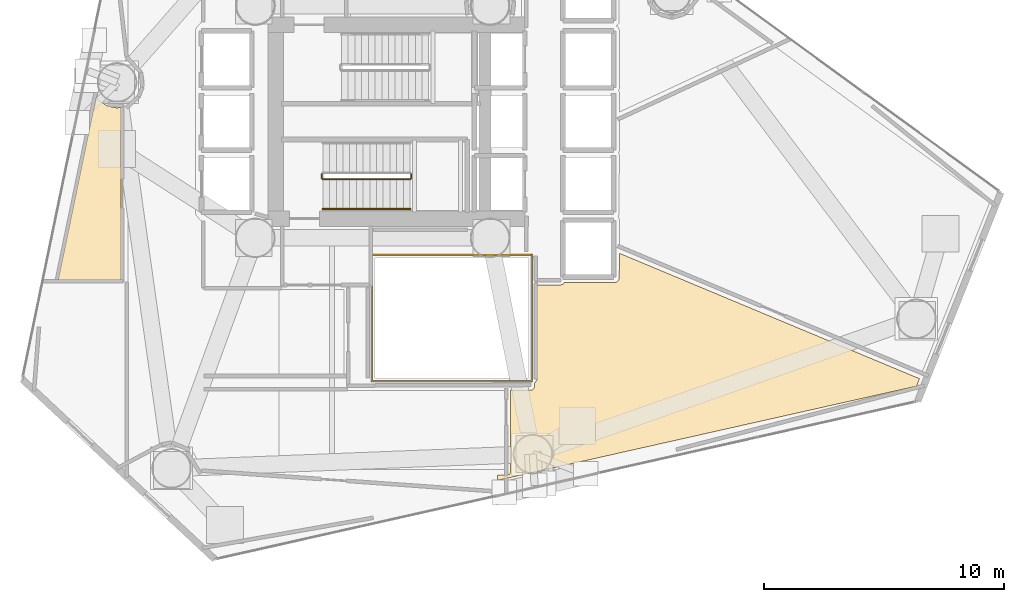
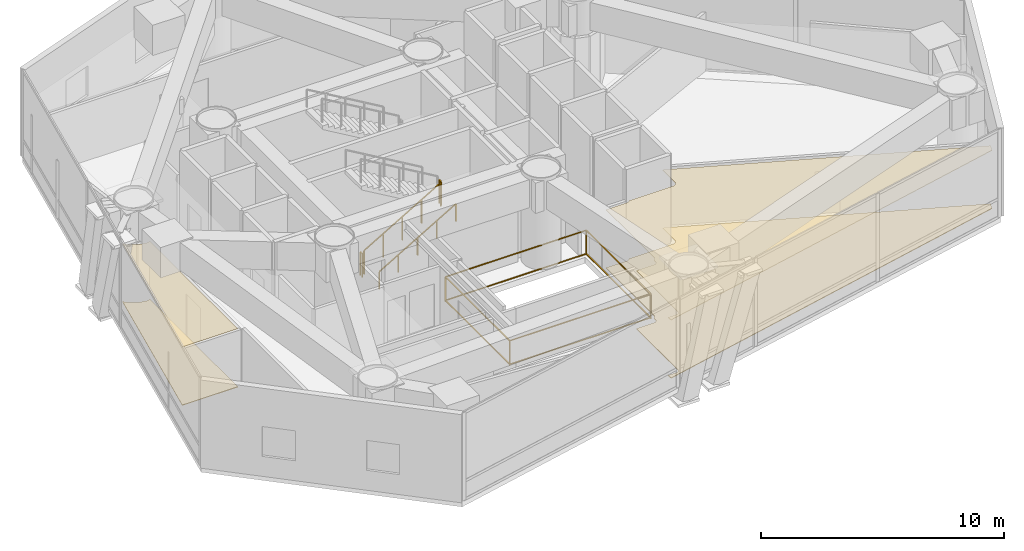
# One storey, part 20 of 22: 5 railings, 4 coverings.
"""IFC4 building model written with IfcOpenShell, lengths in metres."""

from ifc_helpers import new_model, si_unit, direction, frame, origin, origin_2d, place, context, subcontext, project, spatial, polyline, rectangle, outline, extrude, material, layer, layer_set, type_object, element, save


model = new_model("IFC4")

# Units and contexts
model_context = context("Model", 3, precision=1e-05, world=origin(), true_north=direction((0.0, 1.0)))
body_context = subcontext(model_context, "Body", "Model", "MODEL_VIEW")
ifc_project = project(units=[si_unit("LENGTHUNIT", "METRE"), si_unit("AREAUNIT", "SQUARE_METRE"), si_unit("VOLUMEUNIT", "CUBIC_METRE"), si_unit("PLANEANGLEUNIT", "RADIAN"), si_unit("MASSUNIT", "GRAM", prefix="KILO")], contexts=[model_context])

# Site, building, storey
site_placement = place(None, origin())
site = spatial("IfcSite", under=ifc_project, at=site_placement, CompositionType="ELEMENT")
building_placement = place(site_placement, origin())
building = spatial("IfcBuilding", under=site, at=building_placement, Name="Qianvela Tower", CompositionType="ELEMENT")
storey_placement = place(building_placement, frame((0.0, 0.0, 93.199951171875)))
storey = spatial("IfcBuildingStorey", under=building, at=storey_placement, Name="L23", CompositionType="ELEMENT", Elevation=93.199951171875)

# Coverings
ifc_material_1 = material(Name="Perforated Mineral Acoustic Ceiling Tile")
ifc_layer_1 = layer(ifc_material_1, 0.02490234375)
ifc_layer_set_1 = layer_set([ifc_layer_1], Name="Perforated Mineral Acoustic Ceiling Tile")
covering_type_1 = type_object("IfcCoveringType", Name="COV-CEIL-ACOUSTIC-25", PredefinedType="CEILING", material=ifc_layer_set_1)
covering_1_placement = place(storey_placement, frame((0.0, 0.0, 2.9150390625)))
element("IfcCovering", 1, at=covering_1_placement, inside=storey, type_object=covering_type_1, Name="L23 Acoustic Ceiling L23 Fire Refuge Area North", PredefinedType="CEILING", context=body_context, shape_type="SweptSolid", body=[
    extrude(outline(polyline([(21.948974609375, 29.7412109375), (22.07080078125, 29.5927734375), (22.075927734375, 29.5869140625), (22.081787109375, 29.581787109375), (22.088134765625, 29.576904296875), (22.40771484375, 29.363525390625), (22.414306640625, 29.359375), (22.42138671875, 29.356201171875), (22.4287109375, 29.353515625), (22.436279296875, 29.3515625), (22.8134765625, 29.276611328125), (22.822509765625, 29.275390625), (22.83154296875, 29.27490234375), (22.840576171875, 29.27587890625), (23.0, 29.29931640625), (23.0, 22.080078125), (20.364990234375, 22.080078125), (21.948974609375, 29.7412109375)])), origin(), (0.0, 0.0, 1.0), 0.02490234375),
])
covering_2_placement = place(storey_placement, frame((0.0, 0.0, 2.9150390625)))
element("IfcCovering", 2, at=covering_2_placement, inside=storey, type_object=covering_type_1, Name="L23 Acoustic Ceiling L23 Fire Pump Room", PredefinedType="CEILING", context=body_context, shape_type="SweptSolid", body=[
    extrude(outline(polyline([(39.25390625, 14.0693359375), (39.256591796875, 14.076904296875), (39.258544921875, 14.08447265625), (39.259521484375, 14.09228515625), (39.260009765625, 14.10009765625), (39.25732421875, 17.490234375), (40.12353515625, 17.493408203125), (40.1318359375, 17.493896484375), (40.139892578125, 17.4951171875), (40.14794921875, 17.497314453125), (40.15576171875, 17.50048828125), (40.1630859375, 17.504150390625), (40.170166015625, 17.5087890625), (40.176513671875, 17.513916015625), (40.1826171875, 17.519775390625), (40.23779296875, 17.580810546875), (40.242919921875, 17.5869140625), (40.247314453125, 17.593505859375), (40.2509765625, 17.6005859375), (40.25390625, 17.60791015625), (40.256103515625, 17.615478515625), (40.2578125, 17.623291015625), (40.25830078125, 17.63134765625), (40.25830078125, 17.63916015625), (40.251220703125, 17.757080078125), (40.34228515625, 17.903076171875), (40.34619140625, 17.909423828125), (40.34912109375, 17.916259765625), (40.3515625, 17.92333984375), (40.353271484375, 17.930419921875), (40.354248046875, 17.937744140625), (40.3544921875, 17.9453125), (40.35986328125, 21.889892578125), (41.367919921875, 21.890380859375), (41.375732421875, 21.890869140625), (41.383544921875, 21.891845703125), (41.39111328125, 21.893798828125), (41.3984375, 21.896484375), (41.405517578125, 21.89990234375), (41.45947265625, 21.9287109375), (41.46630859375, 21.932861328125), (41.472900390625, 21.9375), (41.478759765625, 21.943115234375), (41.48388671875, 21.948974609375), (41.48876953125, 21.955322265625), (41.492919921875, 21.96240234375), (41.49609375, 21.969482421875), (41.498779296875, 21.97705078125), (41.49951171875, 21.97998046875), (43.59375, 21.980712890625), (43.6015625, 21.981201171875), (43.609375, 21.982177734375), (43.616943359375, 21.984130859375), (43.624267578125, 21.98681640625), (43.699462890625, 22.017822265625), (43.70654296875, 22.021240234375), (43.71337890625, 22.025390625), (43.719482421875, 22.02978515625), (43.725341796875, 22.03515625), (43.730712890625, 22.041015625), (43.7353515625, 22.04736328125), (43.780517578125, 22.114990234375), (43.784423828125, 22.12158203125), (43.787841796875, 22.128662109375), (43.79052734375, 22.135986328125), (43.79248046875, 22.1435546875), (43.793701171875, 22.1513671875), (43.7939453125, 22.1591796875), (43.796630859375, 23.20654296875), (56.33251953125, 17.968505859375), (56.208251953125, 17.656494140625), (38.724609375, 13.72509765625), (38.705810546875, 13.93994140625), (39.10009765625, 13.93994140625), (39.10791015625, 13.9404296875), (39.115478515625, 13.94140625), (39.123291015625, 13.943359375), (39.130615234375, 13.946044921875), (39.187255859375, 13.969482421875), (39.1943359375, 13.972900390625), (39.200927734375, 13.976806640625), (39.207275390625, 13.981689453125), (39.213134765625, 13.98681640625), (39.218505859375, 13.99267578125), (39.22314453125, 13.9990234375), (39.22705078125, 14.005615234375), (39.23046875, 14.0126953125), (39.25390625, 14.0693359375)])), origin(), (0.0, 0.0, 1.0), 0.02490234375),
])
ifc_material_2 = material(Name="Honed Stone Terrazzo Flooring", Category="masonry")
ifc_layer_2 = layer(ifc_material_2, 0.030029296875)
ifc_layer_set_2 = layer_set([ifc_layer_2], Name="Honed Stone Terrazzo Flooring")
covering_type_2 = type_object("IfcCoveringType", Name="COV-FLOOR-TERRAZZO-30", PredefinedType="FLOORING", material=ifc_layer_set_2)
covering_3_placement = place(storey_placement, origin())
element("IfcCovering", 3, at=covering_3_placement, inside=storey, type_object=covering_type_2, Name="L23 Finish Flooring L23 Fire Refuge Area North", PredefinedType="FLOORING", context=body_context, shape_type="SweptSolid", body=[
    extrude(outline(polyline([(21.948974609375, 29.7412109375), (22.07080078125, 29.5927734375), (22.075927734375, 29.5869140625), (22.081787109375, 29.581787109375), (22.088134765625, 29.576904296875), (22.40771484375, 29.363525390625), (22.414306640625, 29.359375), (22.42138671875, 29.356201171875), (22.4287109375, 29.353515625), (22.436279296875, 29.3515625), (22.8134765625, 29.276611328125), (22.822509765625, 29.275390625), (22.83154296875, 29.27490234375), (22.840576171875, 29.27587890625), (23.0, 29.29931640625), (23.0, 22.080078125), (20.364990234375, 22.080078125), (21.948974609375, 29.7412109375)])), origin(), (0.0, 0.0, 1.0), 0.030029296875),
])
covering_4_placement = place(storey_placement, origin())
element("IfcCovering", 4, at=covering_4_placement, inside=storey, type_object=covering_type_2, Name="L23 Finish Flooring L23 Fire Pump Room", PredefinedType="FLOORING", context=body_context, shape_type="SweptSolid", body=[
    extrude(outline(polyline([(39.25390625, 14.0693359375), (39.256591796875, 14.076904296875), (39.258544921875, 14.08447265625), (39.259521484375, 14.09228515625), (39.260009765625, 14.10009765625), (39.25732421875, 17.490234375), (40.12353515625, 17.493408203125), (40.1318359375, 17.493896484375), (40.139892578125, 17.4951171875), (40.14794921875, 17.497314453125), (40.15576171875, 17.50048828125), (40.1630859375, 17.504150390625), (40.170166015625, 17.5087890625), (40.176513671875, 17.513916015625), (40.1826171875, 17.519775390625), (40.23779296875, 17.580810546875), (40.242919921875, 17.5869140625), (40.247314453125, 17.593505859375), (40.2509765625, 17.6005859375), (40.25390625, 17.60791015625), (40.256103515625, 17.615478515625), (40.2578125, 17.623291015625), (40.25830078125, 17.63134765625), (40.25830078125, 17.63916015625), (40.251220703125, 17.757080078125), (40.34228515625, 17.903076171875), (40.34619140625, 17.909423828125), (40.34912109375, 17.916259765625), (40.3515625, 17.92333984375), (40.353271484375, 17.930419921875), (40.354248046875, 17.937744140625), (40.3544921875, 17.9453125), (40.35986328125, 21.889892578125), (41.367919921875, 21.890380859375), (41.375732421875, 21.890869140625), (41.383544921875, 21.891845703125), (41.39111328125, 21.893798828125), (41.3984375, 21.896484375), (41.405517578125, 21.89990234375), (41.45947265625, 21.9287109375), (41.46630859375, 21.932861328125), (41.472900390625, 21.9375), (41.478759765625, 21.943115234375), (41.48388671875, 21.948974609375), (41.48876953125, 21.955322265625), (41.492919921875, 21.96240234375), (41.49609375, 21.969482421875), (41.498779296875, 21.97705078125), (41.49951171875, 21.97998046875), (43.59375, 21.980712890625), (43.6015625, 21.981201171875), (43.609375, 21.982177734375), (43.616943359375, 21.984130859375), (43.624267578125, 21.98681640625), (43.699462890625, 22.017822265625), (43.70654296875, 22.021240234375), (43.71337890625, 22.025390625), (43.719482421875, 22.02978515625), (43.725341796875, 22.03515625), (43.730712890625, 22.041015625), (43.7353515625, 22.04736328125), (43.780517578125, 22.114990234375), (43.784423828125, 22.12158203125), (43.787841796875, 22.128662109375), (43.79052734375, 22.135986328125), (43.79248046875, 22.1435546875), (43.793701171875, 22.1513671875), (43.7939453125, 22.1591796875), (43.796630859375, 23.20654296875), (56.33251953125, 17.968505859375), (56.208251953125, 17.656494140625), (38.724609375, 13.72509765625), (38.705810546875, 13.93994140625), (39.10009765625, 13.93994140625), (39.10791015625, 13.9404296875), (39.115478515625, 13.94140625), (39.123291015625, 13.943359375), (39.130615234375, 13.946044921875), (39.187255859375, 13.969482421875), (39.1943359375, 13.972900390625), (39.200927734375, 13.976806640625), (39.207275390625, 13.981689453125), (39.213134765625, 13.98681640625), (39.218505859375, 13.99267578125), (39.22314453125, 13.9990234375), (39.22705078125, 14.005615234375), (39.23046875, 14.0126953125), (39.25390625, 14.0693359375)])), origin(), (0.0, 0.0, 1.0), 0.030029296875),
])

# Railings
ifc_material_3 = material(Name="Laminated Safety Glass and Stainless Steel 316", Category="steel")
railing_type_1 = type_object("IfcRailingType", Name="RL-ATRIUM-GUARD-1250", PredefinedType="GUARDRAIL", material=ifc_material_3)
railing_1_placement = place(storey_placement, frame((33.4599609375, 17.860107421875, 0.0)))
element("IfcRailing", 5, at=railing_1_placement, inside=storey, type_object=railing_type_1, Name="L23 Atrium Edge Guardrail 1", PredefinedType="GUARDRAIL", context=body_context, shape_type="SweptSolid", body=[
    extrude(rectangle(XDim=0.050048828125, YDim=0.0400390625, at=origin_2d()), frame((0.0, 0.0, 1.22998046875), z_axis=(0.0, 1.0, 0.0), x_axis=(-1.0, 0.0, 0.0)), (0.0, 0.0, 1.0), 5.27978515625),
    extrude(rectangle(XDim=0.050048828125, YDim=0.0400390625, at=origin_2d()), frame((0.0, 0.0, 0.050048828125), z_axis=(0.0, 1.0, 0.0), x_axis=(-1.0, 0.0, 0.0)), (0.0, 0.0, 1.0), 5.27978515625),
    extrude(rectangle(XDim=0.050048828125, YDim=0.0400390625, at=origin_2d()), frame((0.0, 5.27978515625, 1.22998046875), z_axis=(1.0, 0.0, 0.0), x_axis=(0.0, 1.0, 0.0)), (0.0, 0.0, 1.0), 6.679931640625),
    extrude(rectangle(XDim=0.050048828125, YDim=0.0400390625, at=origin_2d()), frame((0.0, 5.27978515625, 0.050048828125), z_axis=(1.0, 0.0, 0.0), x_axis=(0.0, 1.0, 0.0)), (0.0, 0.0, 1.0), 6.679931640625),
    extrude(rectangle(XDim=0.050048828125, YDim=0.0400390625, at=origin_2d()), frame((6.679931640625, 5.27978515625, 1.22998046875), z_axis=(0.0, -1.0, 0.0), x_axis=(1.0, 0.0, 0.0)), (0.0, 0.0, 1.0), 5.27978515625),
    extrude(rectangle(XDim=0.050048828125, YDim=0.0400390625, at=origin_2d()), frame((6.679931640625, 5.27978515625, 0.050048828125), z_axis=(0.0, -1.0, 0.0), x_axis=(1.0, 0.0, 0.0)), (0.0, 0.0, 1.0), 5.27978515625),
    extrude(rectangle(XDim=0.050048828125, YDim=0.0400390625, at=origin_2d()), frame((6.679931640625, 0.0, 1.22998046875), z_axis=(-1.0, 0.0, 0.0), x_axis=(0.0, -1.0, 0.0)), (0.0, 0.0, 1.0), 6.679931640625),
    extrude(rectangle(XDim=0.050048828125, YDim=0.0400390625, at=origin_2d()), frame((6.679931640625, 0.0, 0.050048828125), z_axis=(-1.0, 0.0, 0.0), x_axis=(0.0, -1.0, 0.0)), (0.0, 0.0, 1.0), 6.679931640625),
    extrude(rectangle(XDim=0.050048828125, YDim=0.050048828125, at=origin_2d()), origin(), (0.0, 0.0, 1.0), 1.2099609375),
    extrude(rectangle(XDim=0.050048828125, YDim=0.050048828125, at=origin_2d()), frame((0.0, 5.27978515625, 0.0)), (0.0, 0.0, 1.0), 1.2099609375),
    extrude(rectangle(XDim=0.050048828125, YDim=0.050048828125, at=origin_2d()), frame((6.679931640625, 5.27978515625, 0.0)), (0.0, 0.0, 1.0), 1.2099609375),
    extrude(rectangle(XDim=0.050048828125, YDim=0.050048828125, at=origin_2d()), frame((6.679931640625, 0.0, 0.0)), (0.0, 0.0, 1.0), 1.2099609375),
])
ifc_material_4 = material(Name="Painted Tubular Steel Q355B", Category="steel")
railing_type_2 = type_object("IfcRailingType", Name="RL-STAIR-GUARD-1200", PredefinedType="GUARDRAIL", material=ifc_material_4)
railing_2_placement = place(storey_placement, frame((31.419921875, 26.300048828125, 0.164306640625)))
element("IfcRailing", 6, at=railing_2_placement, inside=storey, type_object=railing_type_2, Name="L23 ST-2 stair guard 1", PredefinedType="GUARDRAIL", context=body_context, shape_type="SweptSolid", body=[
    extrude(rectangle(XDim=0.050048828125, YDim=0.0400390625, at=origin_2d()), frame((0.0, 0.0, 1.179931640625), z_axis=(0.862504707072, 0.0, 0.506049039401), x_axis=(0.0, 1.0, 0.0)), (0.0, 0.0, 1.0), 4.220458984375),
    extrude(rectangle(XDim=0.050048828125, YDim=0.050048828125, at=origin_2d()), origin(), (0.0, 0.0, 1.0), 1.159912109375),
    extrude(rectangle(XDim=0.050048828125, YDim=0.050048828125, at=origin_2d()), frame((0.91015625, 0.0, 0.533935546875)), (0.0, 0.0, 1.0), 1.159912109375),
    extrude(rectangle(XDim=0.050048828125, YDim=0.050048828125, at=origin_2d()), frame((1.820068359375, 0.0, 1.06787109375)), (0.0, 0.0, 1.0), 1.159912109375),
    extrude(rectangle(XDim=0.050048828125, YDim=0.050048828125, at=origin_2d()), frame((2.72998046875, 0.0, 1.601806640625)), (0.0, 0.0, 1.0), 1.159912109375),
    extrude(rectangle(XDim=0.050048828125, YDim=0.050048828125, at=origin_2d()), frame((3.64013671875, 0.0, 2.1357421875)), (0.0, 0.0, 1.0), 1.159912109375),
])
for number, where, name in (
    (7, (35.110107421875, 26.35009765625, 2.300048828125), "L23 ST-2 stair guard 2"),
    (8, (31.3701171875, 26.35009765625, 0.0), "L23 ST-2 stair guard 4"),
):
    element("IfcRailing", number, at=place(storey_placement, frame(where)), inside=storey, type_object=railing_type_2, Name=name, PredefinedType="GUARDRAIL", context=body_context, shape_type="SweptSolid", body=[
        extrude(rectangle(XDim=0.050048828125, YDim=0.0400390625, at=origin_2d()), frame((0.0, 0.0, 1.179931640625), z_axis=(0.0, 1.0, 0.0), x_axis=(-1.0, 0.0, 0.0)), (0.0, 0.0, 1.0), 0.159912109375),
        extrude(rectangle(XDim=0.050048828125, YDim=0.050048828125, at=origin_2d()), origin(), (0.0, 0.0, 1.0), 1.159912109375),
        extrude(rectangle(XDim=0.050048828125, YDim=0.050048828125, at=origin_2d()), frame((0.0, 0.159912109375, 0.0)), (0.0, 0.0, 1.0), 1.159912109375),
    ])
ifc_material_5 = material(Name="Brushed Stainless Steel 304", Category="steel")
railing_type_3 = type_object("IfcRailingType", Name="RL-STAIR-HANDRAIL-900", PredefinedType="HANDRAIL", material=ifc_material_5)
railing_3_placement = place(storey_placement, frame((31.419921875, 25.050048828125, 0.164306640625)))
element("IfcRailing", 9, at=railing_3_placement, inside=storey, type_object=railing_type_3, Name="L23 ST-2 stair handrail 1", PredefinedType="HANDRAIL", context=body_context, shape_type="SweptSolid", body=[
    extrude(rectangle(XDim=0.050048828125, YDim=0.0400390625, at=origin_2d()), frame((0.0, 0.0, 0.8798828125), z_axis=(0.862504707072, 0.0, 0.506049039401), x_axis=(0.0, 1.0, 0.0)), (0.0, 0.0, 1.0), 4.220458984375),
    extrude(rectangle(XDim=0.050048828125, YDim=0.050048828125, at=origin_2d()), origin(), (0.0, 0.0, 1.0), 0.85986328125),
    extrude(rectangle(XDim=0.050048828125, YDim=0.050048828125, at=origin_2d()), frame((0.91015625, 0.0, 0.533935546875)), (0.0, 0.0, 1.0), 0.85986328125),
    extrude(rectangle(XDim=0.050048828125, YDim=0.050048828125, at=origin_2d()), frame((1.820068359375, 0.0, 1.06787109375)), (0.0, 0.0, 1.0), 0.85986328125),
    extrude(rectangle(XDim=0.050048828125, YDim=0.050048828125, at=origin_2d()), frame((2.72998046875, 0.0, 1.601806640625)), (0.0, 0.0, 1.0), 0.85986328125),
    extrude(rectangle(XDim=0.050048828125, YDim=0.050048828125, at=origin_2d()), frame((3.64013671875, 0.0, 2.1357421875)), (0.0, 0.0, 1.0), 0.85986328125),
])

save(model, "model.ifc")
